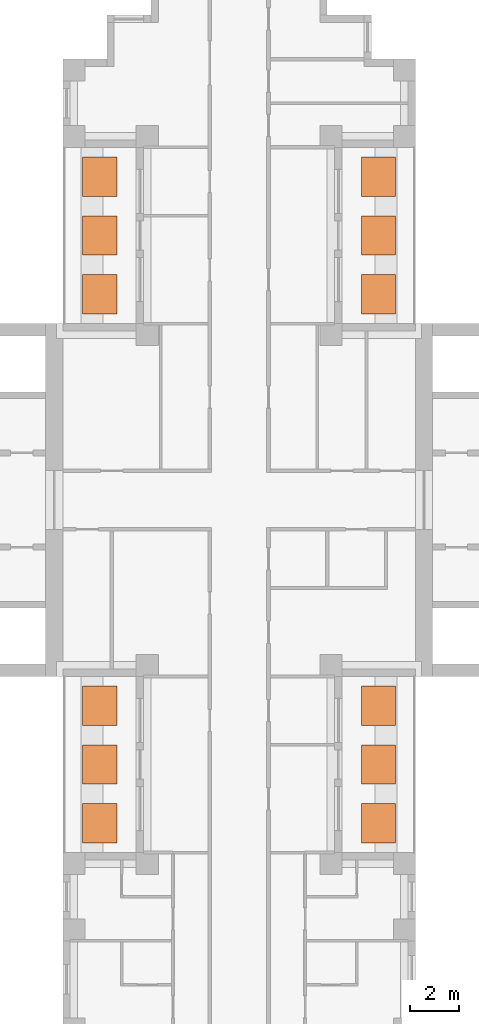
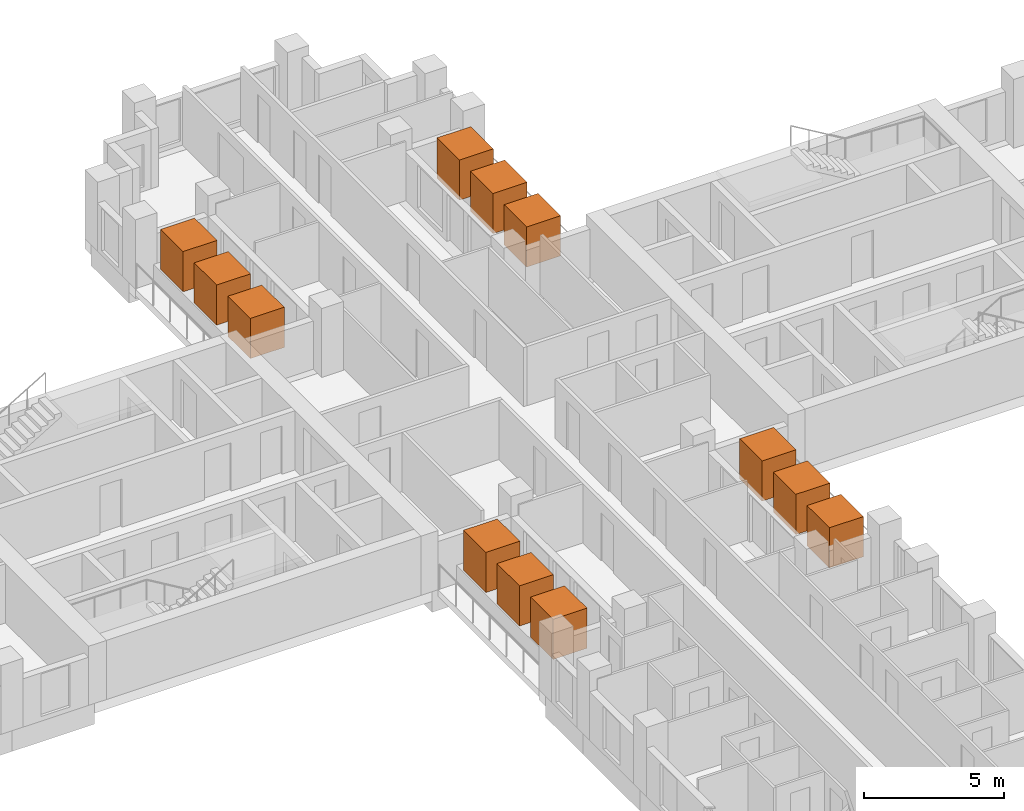
# One storey, part 14 of 14: 12 geographic elements.
"""IFC4 building model written with IfcOpenShell, lengths in metres."""

from ifc_helpers import new_model, si_unit, direction, frame, origin, origin_2d, place, context, subcontext, project, spatial, rectangle, extrude, material, element, save


model = new_model("IFC4")

# Units and contexts
model_context = context("Model", 3, precision=1e-05, world=origin(), true_north=direction((0.0, 1.0)))
body_context = subcontext(model_context, "Body", "Model", "MODEL_VIEW")
ifc_project = project(units=[si_unit("LENGTHUNIT", "METRE"), si_unit("AREAUNIT", "SQUARE_METRE"), si_unit("VOLUMEUNIT", "CUBIC_METRE"), si_unit("PLANEANGLEUNIT", "RADIAN"), si_unit("MASSUNIT", "GRAM", prefix="KILO")], contexts=[model_context])

# Site, building, storey
site_placement = place(None, origin())
site = spatial("IfcSite", under=ifc_project, at=site_placement, CompositionType="ELEMENT")
building_placement = place(site_placement, origin())
building = spatial("IfcBuilding", under=site, at=building_placement, Name="Fustian Cross Tower", CompositionType="ELEMENT")
storey_placement = place(building_placement, frame((0.0, 0.0, 93.89990234375)))
storey = spatial("IfcBuildingStorey", under=building, at=storey_placement, Name="L29", CompositionType="ELEMENT", Elevation=93.89990234375)

# Geographic elements
ifc_material = material(Name="Evergreen foliage")
for number, where, z_axis, x_axis, name in (
    (1, (5.68994140625, 8.39990234375, 0.800048828125), (0.0, 0.0, 1.0), (1.0, 0.0, 0.0), "TREE field maple"),
    (2, (5.68994140625, 10.800048828125, 0.800048828125), (0.0, 0.0, 1.0), (1.0, 0.0, 0.0), "TREE field maple"),
    (3, (5.68994140625, 13.199951171875, 0.800048828125), (0.0, 0.0, 1.0), (1.0, 0.0, 0.0), "TREE field maple"),
    (4, (-5.68994140625, 8.39990234375, 0.800048828125), (0.0, 0.0, 1.0), (1.0, 0.0, 0.0), "TREE field maple"),
    (5, (-5.68994140625, 10.800048828125, 0.800048828125), (0.0, 0.0, 1.0), (1.0, 0.0, 0.0), "TREE field maple"),
    (6, (-5.68994140625, 13.199951171875, 0.800048828125), (0.0, 0.0, 1.0), (1.0, 0.0, 0.0), "TREE field maple"),
    (7, (5.68994140625, -13.199951171875, 0.800048828125), (0.0, 0.0, 1.0), (1.0, 0.0, 0.0), "TREE field maple"),
    (8, (5.68994140625, -10.800048828125, 0.800048828125), (0.0, 0.0, 1.0), (1.0, 0.0, 0.0), "TREE field maple"),
    (9, (5.68994140625, -8.39990234375, 0.800048828125), (0.0, 0.0, 1.0), (1.0, 0.0, 0.0), "TREE field maple"),
    (10, (-5.68994140625, -13.199951171875, 0.800048828125), (0.0, 0.0, 1.0), (1.0, 0.0, 0.0), "TREE field maple"),
    (11, (-5.68994140625, -10.800048828125, 0.800048828125), (0.0, 0.0, 1.0), (1.0, 0.0, 0.0), "TREE field maple"),
    (12, (-5.68994140625, -8.39990234375, 0.800048828125), (0.0, 0.0, 1.0), (1.0, 0.0, 0.0), "TREE field maple"),
):
    element("IfcGeographicElement", number, at=place(storey_placement, frame(where, z_axis=z_axis, x_axis=x_axis)), inside=storey, material=ifc_material, Name=name, ObjectType="VEGETATION", PredefinedType="USERDEFINED", context=body_context, shape_type="SweptSolid", body=[
        extrude(rectangle(XDim=1.39990234375, YDim=1.60009765625, at=origin_2d()), origin(), (0.0, 0.0, 1.0), 1.75),
    ])

save(model, "model.ifc")
